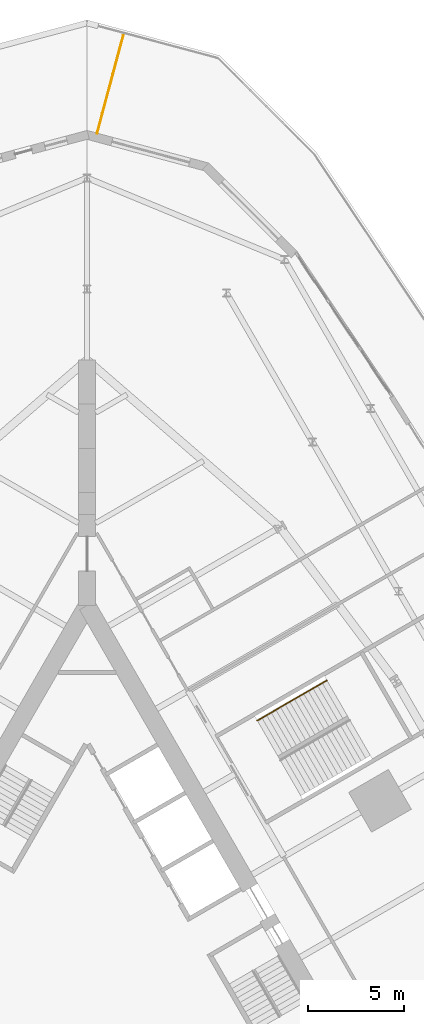
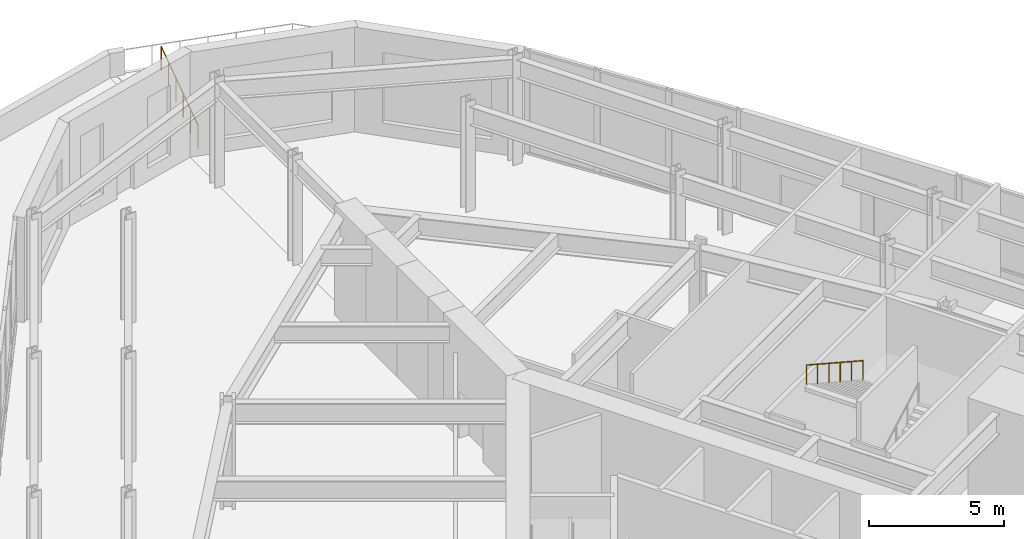
# One storey, part 20 of 20: 2 railings.
"""IFC4 building model written with IfcOpenShell, lengths in metres."""

import ifcopenshell
import ifcopenshell.guid

model = None  # the IFC model being written
_history = None  # IfcOwnerHistory: only IFC2X3 demands one
_inside = {}  # id of a spatial element -> (the spatial element, [elements in it])
_under = {}  # id of a project, library or spatial element -> (it, [spatial elements below it])
_declared = {}  # id of a project -> (the project, [libraries it declares])
_typed = {}  # id of a type object -> (the type object, [elements of that type])
_made_of = {}  # id of a material, layer set ... -> (it, [elements and type objects made of it])


def new_model(schema):
    """Start an empty IFC model of exactly this schema.

    Asked for "IFC4X3", IfcOpenShell would pick the latest addendum, in which some entities
    have other attributes; the version numbers below select the first issue.
    IFC2X3 requires an IfcOwnerHistory on every rooted entity: one is made here for all.
    """
    global model, _history
    if schema == "IFC4X3":
        model = ifcopenshell.file(schema_version=(4, 3, 0, 0))
    else:
        model = ifcopenshell.file(schema=schema)
    _inside.clear()
    _under.clear()
    _declared.clear()
    _typed.clear()
    _made_of.clear()
    _history = None
    if model.schema == "IFC2X3":
        org = make("IfcOrganization", Name="unknown")
        user = make(
            "IfcPersonAndOrganization",
            ThePerson=make("IfcPerson", FamilyName="unknown"),
            TheOrganization=org,
        )
        app = make(
            "IfcApplication",
            ApplicationDeveloper=org,
            Version="unknown",
            ApplicationFullName="unknown",
            ApplicationIdentifier="unknown",
        )
        _history = make(
            "IfcOwnerHistory",
            OwningUser=user,
            OwningApplication=app,
            ChangeAction="ADDED",
            CreationDate=0,
        )
    return model


def make(cls, **values):
    """One entity of the class cls with the attributes given. An attribute that is None is left unset."""
    return model.create_entity(
        cls, **{name: value for name, value in values.items() if value is not None}
    )


def rooted(cls, **values):
    """An entity with a GlobalId (a new one), such as an element, a storey or a relation."""
    return make(cls, GlobalId=ifcopenshell.guid.new(), OwnerHistory=_history, **values)


def si_unit(unit_type, name, prefix=None):
    """IfcSIUnit, for example si_unit("LENGTHUNIT", "METRE", prefix="MILLI")."""
    return make("IfcSIUnit", UnitType=unit_type, Prefix=prefix, Name=name)


def assignment(units):
    """IfcUnitAssignment: the units of a project."""
    return None if units is None else make("IfcUnitAssignment", Units=units)


def point(xyz):
    """IfcCartesianPoint."""
    return None if xyz is None else make("IfcCartesianPoint", Coordinates=xyz)


def direction(xyz):
    """IfcDirection."""
    return None if xyz is None else make("IfcDirection", DirectionRatios=xyz)


def frame(location, z_axis=None, x_axis=None):
    """IfcAxis2Placement3D, a coordinate frame: its origin and axes. An axis left out is left unset."""
    return make(
        "IfcAxis2Placement3D",
        Location=point(location),
        Axis=direction(z_axis),
        RefDirection=direction(x_axis),
    )


def frame_2d(location, x_axis=None):
    """IfcAxis2Placement2D, a coordinate frame in the plane: its origin and x axis."""
    return make(
        "IfcAxis2Placement2D", Location=point(location), RefDirection=direction(x_axis)
    )


def origin():
    """The frame at (0, 0, 0) with its axes left unset."""
    return frame((0.0, 0.0, 0.0))


def origin_2d():
    """The frame at (0, 0) in the plane with its x axis left unset."""
    return frame_2d((0.0, 0.0))


def place(relative_to, where):
    """IfcLocalPlacement: puts the frame where relative to a parent placement (None: the world)."""
    return make(
        "IfcLocalPlacement", PlacementRelTo=relative_to, RelativePlacement=where
    )


def context(
    kind, dimensions, precision=None, world=None, true_north=None, identifier=None
):
    """IfcGeometricRepresentationContext, for example the 3D "Model" context."""
    return make(
        "IfcGeometricRepresentationContext",
        ContextIdentifier=identifier,
        ContextType=kind,
        CoordinateSpaceDimension=dimensions,
        Precision=precision,
        WorldCoordinateSystem=world,
        TrueNorth=true_north,
    )


def subcontext(parent, identifier, kind, view, scale=None):
    """IfcGeometricRepresentationSubContext, for example "Body" below "Model"."""
    return make(
        "IfcGeometricRepresentationSubContext",
        ContextIdentifier=identifier,
        ContextType=kind,
        ParentContext=parent,
        TargetScale=scale,
        TargetView=view,
    )


def project(units=None, contexts=None):
    """IfcProject with its units and contexts."""
    return rooted(
        "IfcProject",
        Name="project",
        RepresentationContexts=contexts,
        UnitsInContext=assignment(units),
    )


def spatial(cls, under=None, at=None, **own):
    """A site, building, storey or space (cls), placed at a placement, below another one or the project."""
    s = rooted(cls, ObjectPlacement=at, **own)
    if under is not None:
        _under.setdefault(under.id(), (under, []))[1].append(s)
    return s


def profile(cls, at=None, kind="AREA", **sizes):
    """A parametric profile (cls). Its sizes go by their IFC names, for example OverallWidth=200.0."""
    return make(cls, ProfileType=kind, Position=at, **sizes)


def circle(**sizes):
    """IfcCircleProfileDef."""
    return profile("IfcCircleProfileDef", **sizes)


def extrude(swept, where, along, depth):
    """IfcExtrudedAreaSolid: the profile swept, set in the frame where, extruded along a direction by depth."""
    return make(
        "IfcExtrudedAreaSolid",
        SweptArea=swept,
        Position=where,
        ExtrudedDirection=direction(along),
        Depth=depth,
    )


def shape(context_of_items, identifier, shape_type, items):
    """IfcShapeRepresentation: the items that make up one representation, for example the "Body"."""
    return make(
        "IfcShapeRepresentation",
        ContextOfItems=context_of_items,
        RepresentationIdentifier=identifier,
        RepresentationType=shape_type,
        Items=items,
    )


def material(Name=None, Category=None):
    """IfcMaterial."""
    return make("IfcMaterial", Name=Name, Category=Category)


def made_of(thing, what):
    """Note that an element or type object is made of a material, layer set ...; save() writes the relation."""
    if what is not None:
        _made_of.setdefault(what.id(), (what, []))[1].append(thing)
    return thing


def type_object(cls, material=None, **own):
    """A type object (cls), such as IfcWallType, which elements share."""
    return made_of(rooted(cls, **own), material)


def element(
    cls,
    number,
    at=None,
    inside=None,
    cuts=None,
    type_object=None,
    material=None,
    context=None,
    identifier="Body",
    shape_type=None,
    held_by="IfcProductDefinitionShape",
    body=None,
    shapes=None,
    **own,
):
    """One element of the class cls, such as IfcWall. Its Tag is "e" and its number.

    at: its placement. inside: the storey or other place that contains it. cuts: it is an
    opening in that element (IfcRelVoidsElement). A single representation is given by context,
    identifier, shape_type and body (its items); several are given by shapes. held_by: the class
    of the entity that holds the representations. save() writes the other relations.
    """
    e = rooted(cls, Tag="e%d" % number, ObjectPlacement=at, **own)
    if body is not None:
        shapes = [shape(context, identifier, shape_type, body)]
    if shapes is not None:
        e.Representation = make(held_by, Representations=shapes)
    if inside is not None:
        _inside.setdefault(inside.id(), (inside, []))[1].append(e)
    if cuts is not None:
        rooted(
            "IfcRelVoidsElement", RelatingBuildingElement=cuts, RelatedOpeningElement=e
        )
    if type_object is not None:
        _typed.setdefault(type_object.id(), (type_object, []))[1].append(e)
    return made_of(e, material)


def aggregate(whole, parts):
    """IfcRelAggregates: a whole, such as a stair, and the parts it consists of."""
    return rooted("IfcRelAggregates", RelatingObject=whole, RelatedObjects=parts)


def save(model, path):
    """Write the relations noted so far, then the file.

    IfcRelAggregates (storeys below a building ...), IfcRelContainedInSpatialStructure (elements
    in a storey), IfcRelDefinesByType, IfcRelAssociatesMaterial and IfcRelDeclares: one each for
    every whole, place, type object, material and project.
    """
    for whole, parts in _under.values():
        aggregate(whole, parts)
    for where, things in _inside.values():
        rooted(
            "IfcRelContainedInSpatialStructure",
            RelatedElements=things,
            RelatingStructure=where,
        )
    for kind, things in _typed.values():
        rooted("IfcRelDefinesByType", RelatedObjects=things, RelatingType=kind)
    for what, things in _made_of.values():
        rooted("IfcRelAssociatesMaterial", RelatedObjects=things, RelatingMaterial=what)
    for by, libraries in _declared.values():
        rooted("IfcRelDeclares", RelatingContext=by, RelatedDefinitions=libraries)
    model.write(path)


model = new_model("IFC4")

# Units and contexts
model_context = context("Model", 3, precision=1e-05, world=origin(), true_north=direction((0.0, 1.0)))
body_context = subcontext(model_context, "Body", "Model", "MODEL_VIEW")
ifc_project = project(units=[si_unit("LENGTHUNIT", "METRE"), si_unit("AREAUNIT", "SQUARE_METRE"), si_unit("VOLUMEUNIT", "CUBIC_METRE"), si_unit("PLANEANGLEUNIT", "RADIAN"), si_unit("MASSUNIT", "GRAM", prefix="KILO")], contexts=[model_context])

# Site, building, storey
site_placement = place(None, origin())
site = spatial("IfcSite", under=ifc_project, at=site_placement, CompositionType="ELEMENT")
building_placement = place(site_placement, origin())
building = spatial("IfcBuilding", under=site, at=building_placement, Name="Trikona Tower", CompositionType="ELEMENT")
storey_placement = place(building_placement, frame((0.0, 0.0, 6.0)))
storey = spatial("IfcBuildingStorey", under=building, at=storey_placement, Name="L01", CompositionType="ELEMENT", Elevation=6.0)

# Railings
ifc_material_1 = material(Name="Galvanised steel fence with welded mesh infill", Category="steel")
railing_type_1 = type_object("IfcRailingType", Name="Green roof fence 1100", PredefinedType="GUARDRAIL", material=ifc_material_1)
railing_1_placement = place(storey_placement, frame((1.89306640625, 48.834228515625, 0.0)))
element("IfcRailing", 1, at=railing_1_placement, inside=storey, type_object=railing_type_1, Name="Green roof fence L01-1b", PredefinedType="GUARDRAIL", context=body_context, shape_type="SweptSolid", body=[
    extrude(circle(Radius=0.02392578125, at=origin_2d()), frame((0.0, 0.0, 1.076171875), z_axis=(-0.25882011177, -0.965925540476, 0.0), x_axis=(0.965925540476, -0.25882011177, 0.0)), (0.0, 0.0, 1.0), 5.276611328125),
    extrude(circle(Radius=0.02099609375, at=origin_2d()), origin(), (0.0, 0.0, 1.0), 1.052001953125),
    extrude(circle(Radius=0.02099609375, at=origin_2d()), frame((-0.273193359375, -1.019287109375, 0.0)), (0.0, 0.0, 1.0), 1.052001953125),
    extrude(circle(Radius=0.02099609375, at=origin_2d()), frame((-0.54638671875, -2.038818359375, 0.0)), (0.0, 0.0, 1.0), 1.052001953125),
    extrude(circle(Radius=0.02099609375, at=origin_2d()), frame((-0.8193359375, -3.05810546875, 0.0)), (0.0, 0.0, 1.0), 1.052001953125),
    extrude(circle(Radius=0.02099609375, at=origin_2d()), frame((-1.092529296875, -4.07763671875, 0.0)), (0.0, 0.0, 1.0), 1.052001953125),
    extrude(circle(Radius=0.02099609375, at=origin_2d()), frame((-1.36572265625, -5.096923828125, 0.0)), (0.0, 0.0, 1.0), 1.052001953125),
])
ifc_material_2 = material(Name="Stainless steel handrail", Category="steel")
railing_type_2 = type_object("IfcRailingType", Name="Stair handrail", PredefinedType="HANDRAIL", material=ifc_material_2)
railing_2_placement = place(storey_placement, frame((12.53759765625, 15.13671875, 2.65625)))
element("IfcRailing", 2, at=railing_2_placement, inside=storey, type_object=railing_type_2, Name="Stair handrail PS2 L01 2", PredefinedType="HANDRAIL", context=body_context, shape_type="SweptSolid", body=[
    extrude(circle(Radius=0.02392578125, at=origin_2d()), frame((0.0, 0.0, 0.8759765625), z_axis=(-0.756245988317, -0.436600331958, 0.487311148332), x_axis=(0.49998411664, -0.866034573852, 0.0)), (0.0, 0.0, 1.0), 4.8095703125),
    extrude(circle(Radius=0.02099609375, at=origin_2d()), origin(), (0.0, 0.0, 1.0), 0.851806640625),
    extrude(circle(Radius=0.02099609375, at=origin_2d()), frame((-0.7275390625, -0.419921875, 0.46875)), (0.0, 0.0, 1.0), 0.851806640625),
    extrude(circle(Radius=0.02099609375, at=origin_2d()), frame((-1.454833984375, -0.83984375, 0.9375)), (0.0, 0.0, 1.0), 0.851806640625),
    extrude(circle(Radius=0.02099609375, at=origin_2d()), frame((-2.182373046875, -1.260009765625, 1.40625)), (0.0, 0.0, 1.0), 0.851806640625),
    extrude(circle(Radius=0.02099609375, at=origin_2d()), frame((-2.90966796875, -1.679931640625, 1.875)), (0.0, 0.0, 1.0), 0.851806640625),
    extrude(circle(Radius=0.02099609375, at=origin_2d()), frame((-3.63720703125, -2.099853515625, 2.34375)), (0.0, 0.0, 1.0), 0.851806640625),
])

save(model, "model.ifc")
